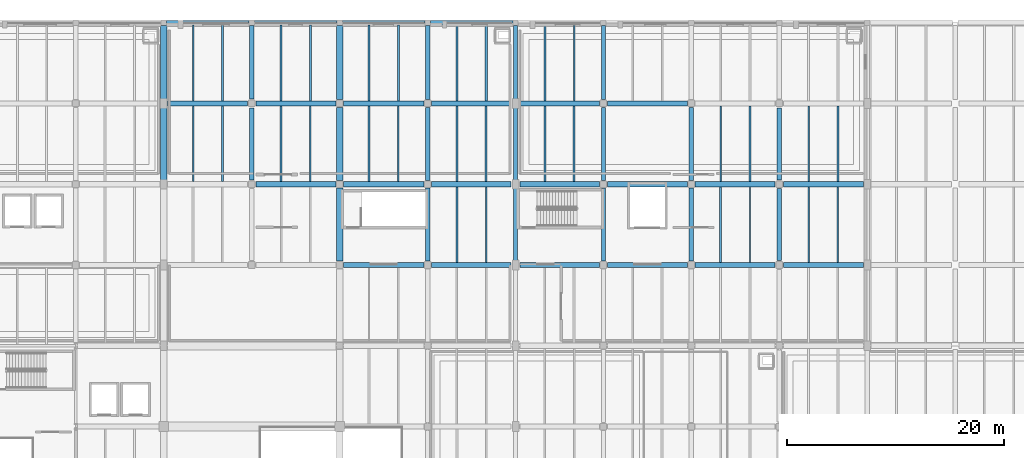
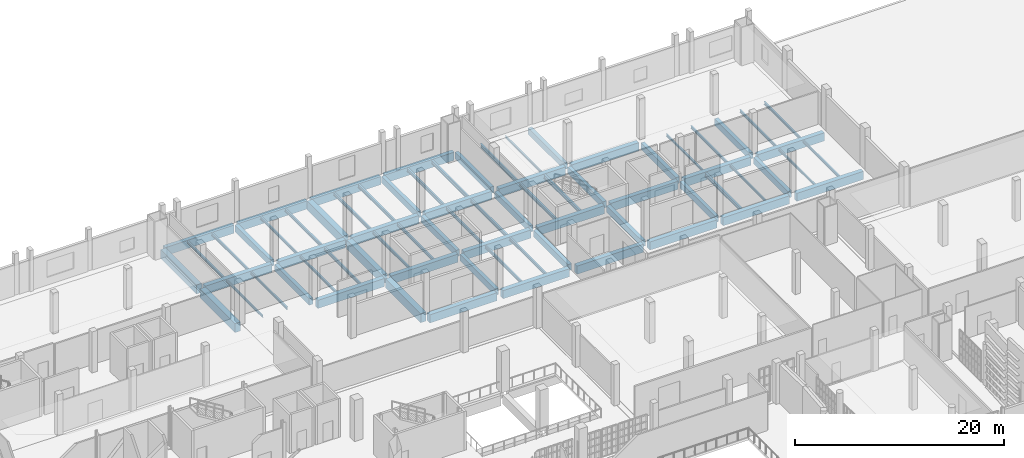
# One storey, part 47 of 104: 73 beams.
"""IFC4 building model written with IfcOpenShell, lengths in metres."""

from ifc_helpers import new_model, si_unit, direction, frame, origin, origin_2d, place, context, subcontext, project, spatial, rectangle, i_section, extrude, material, material_profile, profile_set, type_object, element, save


model = new_model("IFC4")

# Units and contexts
model_context = context("Model", 3, precision=1e-05, world=origin(), true_north=direction((0.0, 1.0)))
body_context = subcontext(model_context, "Body", "Model", "MODEL_VIEW")
ifc_project = project(units=[si_unit("LENGTHUNIT", "METRE"), si_unit("AREAUNIT", "SQUARE_METRE"), si_unit("VOLUMEUNIT", "CUBIC_METRE"), si_unit("PLANEANGLEUNIT", "RADIAN"), si_unit("MASSUNIT", "GRAM", prefix="KILO")], contexts=[model_context])

# Site, building, storey
site_placement = place(None, origin())
site = spatial("IfcSite", under=ifc_project, at=site_placement, CompositionType="ELEMENT")
building_placement = place(site_placement, origin())
building = spatial("IfcBuilding", under=site, at=building_placement, Name="Kaelora Sail Theatre", CompositionType="ELEMENT")
storey_placement = place(building_placement, frame((0.0, 0.0, 5.39990234375)))
storey = spatial("IfcBuildingStorey", under=building, at=storey_placement, Name="L01", CompositionType="ELEMENT", Elevation=5.39990234375)

# Beams
ifc_material_1 = material(Name="Steel S355", Category="steel")
ifc_material_profile_1 = material_profile(ifc_material_1, i_section(OverallWidth=0.18994140625, OverallDepth=0.449951171875, WebThickness=0.009521484375, FlangeThickness=0.0146484375, FilletRadius=0.02099609375, at=origin_2d()), Name="IPE 450")
ifc_profile_set_1 = profile_set([ifc_material_profile_1], Name="Steel S355")
beam_type_1 = type_object("IfcBeamType", Name="STR-BM-BM-IPE450", PredefinedType="BEAM", material=ifc_profile_set_1)
beam_1_placement = place(storey_placement, frame((96.0, 105.909912109375, -0.52001953125), z_axis=(0.0, 1.0, 0.0), x_axis=(-1.0, 0.0, 0.0)))
element("IfcBeam", 1, at=beam_1_placement, inside=storey, type_object=beam_type_1, Name="Secondary floor joist 12/O-2 (L01)", PredefinedType="BEAM", context=body_context, shape_type="SweptSolid", body=[
    extrude(i_section(OverallWidth=0.18994140625, OverallDepth=0.449951171875, WebThickness=0.009521484375, FlangeThickness=0.0146484375, FilletRadius=0.02099609375, at=origin_2d()), origin(), (0.0, 0.0, 1.0), 6.965087890625),
])
beam_2_placement = place(storey_placement, frame((104.10009765625, 98.469970703125, -0.52001953125), z_axis=(0.0, 1.0, 0.0), x_axis=(-1.0, 0.0, 0.0)))
element("IfcBeam", 2, at=beam_2_placement, inside=storey, type_object=beam_type_1, Name="Secondary floor joist 13/N-2 (L01)", PredefinedType="BEAM", context=body_context, shape_type="SweptSolid", body=[
    extrude(i_section(OverallWidth=0.18994140625, OverallDepth=0.449951171875, WebThickness=0.009521484375, FlangeThickness=0.0146484375, FilletRadius=0.02099609375, at=origin_2d()), origin(), (0.0, 0.0, 1.0), 6.93994140625),
])
beam_3_placement = place(storey_placement, frame((101.39990234375, 105.909912109375, -0.52001953125), z_axis=(0.0, 1.0, 0.0), x_axis=(-1.0, 0.0, 0.0)))
element("IfcBeam", 3, at=beam_3_placement, inside=storey, type_object=beam_type_1, Name="Secondary floor joist 13/O-1 (L01)", PredefinedType="BEAM", context=body_context, shape_type="SweptSolid", body=[
    extrude(i_section(OverallWidth=0.18994140625, OverallDepth=0.449951171875, WebThickness=0.009521484375, FlangeThickness=0.0146484375, FilletRadius=0.02099609375, at=origin_2d()), origin(), (0.0, 0.0, 1.0), 6.965087890625),
])
beam_4_placement = place(storey_placement, frame((117.60009765625, 91.030029296875, -0.52001953125), z_axis=(0.0, 1.0, 0.0), x_axis=(-1.0, 0.0, 0.0)))
element("IfcBeam", 4, at=beam_4_placement, inside=storey, type_object=beam_type_1, Name="Secondary floor joist 15/M-1 (L01)", PredefinedType="BEAM", context=body_context, shape_type="SweptSolid", body=[
    extrude(i_section(OverallWidth=0.18994140625, OverallDepth=0.449951171875, WebThickness=0.009521484375, FlangeThickness=0.0146484375, FilletRadius=0.02099609375, at=origin_2d()), origin(), (0.0, 0.0, 1.0), 6.93994140625),
])
ifc_material_2 = material(Name="Concrete C40/50", Category="concrete")
ifc_material_profile_2 = material_profile(ifc_material_2, rectangle(XDim=0.39990234375, YDim=0.75, at=origin_2d()), Name="RC-BM 400x750")
ifc_profile_set_2 = profile_set([ifc_material_profile_2], Name="Concrete C40/50")
beam_type_2 = type_object("IfcBeamType", Name="STR-BM-BM-RC4075", PredefinedType="BEAM", material=ifc_profile_set_2)
beam_5_placement = place(storey_placement, frame((74.39990234375, 98.6201171875, -0.669921875), z_axis=(0.0, 1.0, 0.0), x_axis=(-1.0, 0.0, 0.0)))
element("IfcBeam", 5, at=beam_5_placement, inside=storey, type_object=beam_type_2, Name="Primary beam 10 N-O (L01)", PredefinedType="BEAM", context=body_context, shape_type="SweptSolid", body=[
    extrude(rectangle(XDim=0.39990234375, YDim=0.75, at=origin_2d()), origin(), (0.0, 0.0, 1.0), 6.639892578125),
])
beam_6_placement = place(storey_placement, frame((74.39990234375, 106.06005859375, -0.669921875), z_axis=(0.0, 1.0, 0.0), x_axis=(-1.0, 0.0, 0.0)))
element("IfcBeam", 6, at=beam_6_placement, inside=storey, type_object=beam_type_2, Name="Primary beam 10 O-P (L01)", PredefinedType="BEAM", context=body_context, shape_type="SweptSolid", body=[
    extrude(rectangle(XDim=0.39990234375, YDim=0.75, at=origin_2d()), origin(), (0.0, 0.0, 1.0), 6.7900390625),
])
beam_7_placement = place(storey_placement, frame((90.60009765625, 91.1298828125, -0.669921875), z_axis=(0.0, 1.0, 0.0), x_axis=(-1.0, 0.0, 0.0)))
element("IfcBeam", 7, at=beam_7_placement, inside=storey, type_object=beam_type_2, Name="Primary beam 12 M-N (L01)", PredefinedType="BEAM", context=body_context, shape_type="SweptSolid", body=[
    extrude(rectangle(XDim=0.39990234375, YDim=0.75, at=origin_2d()), origin(), (0.0, 0.0, 1.0), 6.740234375),
])
beam_8_placement = place(storey_placement, frame((90.60009765625, 98.570068359375, -0.669921875), z_axis=(0.0, 1.0, 0.0), x_axis=(-1.0, 0.0, 0.0)))
element("IfcBeam", 8, at=beam_8_placement, inside=storey, type_object=beam_type_2, Name="Primary beam 12 N-O (L01)", PredefinedType="BEAM", context=body_context, shape_type="SweptSolid", body=[
    extrude(rectangle(XDim=0.39990234375, YDim=0.75, at=origin_2d()), origin(), (0.0, 0.0, 1.0), 6.739990234375),
])
beam_9_placement = place(storey_placement, frame((90.60009765625, 106.010009765625, -0.669921875), z_axis=(0.0, 1.0, 0.0), x_axis=(-1.0, 0.0, 0.0)))
element("IfcBeam", 9, at=beam_9_placement, inside=storey, type_object=beam_type_2, Name="Primary beam 12 O-P (L01)", PredefinedType="BEAM", context=body_context, shape_type="SweptSolid", body=[
    extrude(rectangle(XDim=0.39990234375, YDim=0.75, at=origin_2d()), origin(), (0.0, 0.0, 1.0), 6.840087890625),
])
beam_10_placement = place(storey_placement, frame((98.699951171875, 91.179931640625, -0.669921875), z_axis=(0.0, 1.0, 0.0), x_axis=(-1.0, 0.0, 0.0)))
element("IfcBeam", 10, at=beam_10_placement, inside=storey, type_object=beam_type_2, Name="Primary beam 13 M-N (L01)", PredefinedType="BEAM", context=body_context, shape_type="SweptSolid", body=[
    extrude(rectangle(XDim=0.39990234375, YDim=0.75, at=origin_2d()), origin(), (0.0, 0.0, 1.0), 6.64013671875),
])
beam_11_placement = place(storey_placement, frame((98.699951171875, 98.6201171875, -0.669921875), z_axis=(0.0, 1.0, 0.0), x_axis=(-1.0, 0.0, 0.0)))
element("IfcBeam", 11, at=beam_11_placement, inside=storey, type_object=beam_type_2, Name="Primary beam 13 N-O (L01)", PredefinedType="BEAM", context=body_context, shape_type="SweptSolid", body=[
    extrude(rectangle(XDim=0.39990234375, YDim=0.75, at=origin_2d()), origin(), (0.0, 0.0, 1.0), 6.639892578125),
])
beam_12_placement = place(storey_placement, frame((98.699951171875, 106.06005859375, -0.669921875), z_axis=(0.0, 1.0, 0.0), x_axis=(-1.0, 0.0, 0.0)))
element("IfcBeam", 12, at=beam_12_placement, inside=storey, type_object=beam_type_2, Name="Primary beam 13 O-P (L01)", PredefinedType="BEAM", context=body_context, shape_type="SweptSolid", body=[
    extrude(rectangle(XDim=0.39990234375, YDim=0.75, at=origin_2d()), origin(), (0.0, 0.0, 1.0), 6.7900390625),
])
beam_13_placement = place(storey_placement, frame((106.800048828125, 91.1298828125, -0.669921875), z_axis=(0.0, 1.0, 0.0), x_axis=(-1.0, 0.0, 0.0)))
element("IfcBeam", 13, at=beam_13_placement, inside=storey, type_object=beam_type_2, Name="Primary beam 14 M-N (L01)", PredefinedType="BEAM", context=body_context, shape_type="SweptSolid", body=[
    extrude(rectangle(XDim=0.39990234375, YDim=0.75, at=origin_2d()), origin(), (0.0, 0.0, 1.0), 6.740234375),
])
beam_14_placement = place(storey_placement, frame((106.800048828125, 98.570068359375, -0.669921875), z_axis=(0.0, 1.0, 0.0), x_axis=(-1.0, 0.0, 0.0)))
element("IfcBeam", 14, at=beam_14_placement, inside=storey, type_object=beam_type_2, Name="Primary beam 14 N-O (L01)", PredefinedType="BEAM", context=body_context, shape_type="SweptSolid", body=[
    extrude(rectangle(XDim=0.39990234375, YDim=0.75, at=origin_2d()), origin(), (0.0, 0.0, 1.0), 6.739990234375),
])
beam_15_placement = place(storey_placement, frame((106.800048828125, 106.010009765625, -0.669921875), z_axis=(0.0, 1.0, 0.0), x_axis=(-1.0, 0.0, 0.0)))
element("IfcBeam", 15, at=beam_15_placement, inside=storey, type_object=beam_type_2, Name="Primary beam 14 O-P (L01)", PredefinedType="BEAM", context=body_context, shape_type="SweptSolid", body=[
    extrude(rectangle(XDim=0.39990234375, YDim=0.75, at=origin_2d()), origin(), (0.0, 0.0, 1.0), 6.840087890625),
])
beam_16_placement = place(storey_placement, frame((114.89990234375, 91.1298828125, -0.669921875), z_axis=(0.0, 1.0, 0.0), x_axis=(-1.0, 0.0, 0.0)))
element("IfcBeam", 16, at=beam_16_placement, inside=storey, type_object=beam_type_2, Name="Primary beam 15 M-N (L01)", PredefinedType="BEAM", context=body_context, shape_type="SweptSolid", body=[
    extrude(rectangle(XDim=0.39990234375, YDim=0.75, at=origin_2d()), origin(), (0.0, 0.0, 1.0), 6.740234375),
])
beam_17_placement = place(storey_placement, frame((114.89990234375, 98.570068359375, -0.669921875), z_axis=(0.0, 1.0, 0.0), x_axis=(-1.0, 0.0, 0.0)))
element("IfcBeam", 17, at=beam_17_placement, inside=storey, type_object=beam_type_2, Name="Primary beam 15 N-O (L01)", PredefinedType="BEAM", context=body_context, shape_type="SweptSolid", body=[
    extrude(rectangle(XDim=0.39990234375, YDim=0.75, at=origin_2d()), origin(), (0.0, 0.0, 1.0), 6.739990234375),
])
beam_18_placement = place(storey_placement, frame((123.0, 91.179931640625, -0.669921875), z_axis=(0.0, 1.0, 0.0), x_axis=(-1.0, 0.0, 0.0)))
element("IfcBeam", 18, at=beam_18_placement, inside=storey, type_object=beam_type_2, Name="Primary beam 16 M-N (L01)", PredefinedType="BEAM", context=body_context, shape_type="SweptSolid", body=[
    extrude(rectangle(XDim=0.39990234375, YDim=0.75, at=origin_2d()), origin(), (0.0, 0.0, 1.0), 6.64013671875),
])
beam_19_placement = place(storey_placement, frame((123.0, 98.6201171875, -0.669921875), z_axis=(0.0, 1.0, 0.0), x_axis=(-1.0, 0.0, 0.0)))
element("IfcBeam", 19, at=beam_19_placement, inside=storey, type_object=beam_type_2, Name="Primary beam 16 N-O (L01)", PredefinedType="BEAM", context=body_context, shape_type="SweptSolid", body=[
    extrude(rectangle(XDim=0.39990234375, YDim=0.75, at=origin_2d()), origin(), (0.0, 0.0, 1.0), 6.639892578125),
])
ifc_material_3 = material(Name="Concrete C45/55", Category="concrete")
ifc_material_profile_3 = material_profile(ifc_material_3, rectangle(XDim=0.5, YDim=0.949951171875, at=origin_2d()), Name="RC-GRD 500x950")
ifc_profile_set_3 = profile_set([ifc_material_profile_3], Name="Concrete C45/55")
beam_type_3 = type_object("IfcBeamType", Name="STR-BM-GR-RC5095", PredefinedType="T_BEAM", material=ifc_profile_set_3)
beam_20_placement = place(storey_placement, frame((66.64990234375, 105.659912109375, -0.77001953125), z_axis=(1.0, 0.0, 0.0), x_axis=(0.0, 1.0, 0.0)))
element("IfcBeam", 20, at=beam_20_placement, inside=storey, type_object=beam_type_3, Name="Primary beam O 9-10 (L01)", PredefinedType="T_BEAM", context=body_context, shape_type="SweptSolid", body=[
    extrude(rectangle(XDim=0.5, YDim=0.949951171875, at=origin_2d()), origin(), (0.0, 0.0, 1.0), 7.35009765625),
])
for number, where, z_axis, x_axis, name in (
    (21, (74.800048828125, 98.219970703125, -0.77001953125), (1.0, 0.0, 0.0), (0.0, 1.0, 0.0), "Primary beam N 10-11 (L01)"),
    (22, (74.800048828125, 105.659912109375, -0.77001953125), (1.0, 0.0, 0.0), (0.0, 1.0, 0.0), "Primary beam O 10-11 (L01)"),
):
    element("IfcBeam", number, at=place(storey_placement, frame(where, z_axis=z_axis, x_axis=x_axis)), inside=storey, type_object=beam_type_3, Name=name, PredefinedType="T_BEAM", context=body_context, shape_type="SweptSolid", body=[
        extrude(rectangle(XDim=0.5, YDim=0.949951171875, at=origin_2d()), origin(), (0.0, 0.0, 1.0), 7.349853515625),
    ])
for number, where, z_axis, x_axis, name in (
    (23, (82.85009765625, 90.780029296875, -0.77001953125), (1.0, 0.0, 0.0), (0.0, 1.0, 0.0), "Primary beam M 11-12 (L01)"),
    (24, (82.85009765625, 98.219970703125, -0.77001953125), (1.0, 0.0, 0.0), (0.0, 1.0, 0.0), "Primary beam N 11-12 (L01)"),
    (25, (82.85009765625, 105.659912109375, -0.77001953125), (1.0, 0.0, 0.0), (0.0, 1.0, 0.0), "Primary beam O 11-12 (L01)"),
):
    element("IfcBeam", number, at=place(storey_placement, frame(where, z_axis=z_axis, x_axis=x_axis)), inside=storey, type_object=beam_type_3, Name=name, PredefinedType="T_BEAM", context=body_context, shape_type="SweptSolid", body=[
        extrude(rectangle(XDim=0.5, YDim=0.949951171875, at=origin_2d()), origin(), (0.0, 0.0, 1.0), 7.39990234375),
    ])
for number, where, z_axis, x_axis, name in (
    (26, (90.949951171875, 90.780029296875, -0.77001953125), (1.0, 0.0, 0.0), (0.0, 1.0, 0.0), "Primary beam M 12-13 (L01)"),
    (27, (90.949951171875, 98.219970703125, -0.77001953125), (1.0, 0.0, 0.0), (0.0, 1.0, 0.0), "Primary beam N 12-13 (L01)"),
    (28, (90.949951171875, 105.659912109375, -0.77001953125), (1.0, 0.0, 0.0), (0.0, 1.0, 0.0), "Primary beam O 12-13 (L01)"),
):
    element("IfcBeam", number, at=place(storey_placement, frame(where, z_axis=z_axis, x_axis=x_axis)), inside=storey, type_object=beam_type_3, Name=name, PredefinedType="T_BEAM", context=body_context, shape_type="SweptSolid", body=[
        extrude(rectangle(XDim=0.5, YDim=0.949951171875, at=origin_2d()), origin(), (0.0, 0.0, 1.0), 7.35009765625),
    ])
for number, where, z_axis, x_axis, name in (
    (29, (99.10009765625, 90.780029296875, -0.77001953125), (1.0, 0.0, 0.0), (0.0, 1.0, 0.0), "Primary beam M 13-14 (L01)"),
    (30, (99.10009765625, 98.219970703125, -0.77001953125), (1.0, 0.0, 0.0), (0.0, 1.0, 0.0), "Primary beam N 13-14 (L01)"),
    (31, (99.10009765625, 105.659912109375, -0.77001953125), (1.0, 0.0, 0.0), (0.0, 1.0, 0.0), "Primary beam O 13-14 (L01)"),
):
    element("IfcBeam", number, at=place(storey_placement, frame(where, z_axis=z_axis, x_axis=x_axis)), inside=storey, type_object=beam_type_3, Name=name, PredefinedType="T_BEAM", context=body_context, shape_type="SweptSolid", body=[
        extrude(rectangle(XDim=0.5, YDim=0.949951171875, at=origin_2d()), origin(), (0.0, 0.0, 1.0), 7.349853515625),
    ])
for number, where, z_axis, x_axis, name in (
    (32, (107.14990234375, 90.780029296875, -0.77001953125), (1.0, 0.0, 0.0), (0.0, 1.0, 0.0), "Primary beam M 14-15 (L01)"),
    (33, (107.14990234375, 98.219970703125, -0.77001953125), (1.0, 0.0, 0.0), (0.0, 1.0, 0.0), "Primary beam N 14-15 (L01)"),
    (34, (107.14990234375, 105.659912109375, -0.77001953125), (1.0, 0.0, 0.0), (0.0, 1.0, 0.0), "Primary beam O 14-15 (L01)"),
):
    element("IfcBeam", number, at=place(storey_placement, frame(where, z_axis=z_axis, x_axis=x_axis)), inside=storey, type_object=beam_type_3, Name=name, PredefinedType="T_BEAM", context=body_context, shape_type="SweptSolid", body=[
        extrude(rectangle(XDim=0.5, YDim=0.949951171875, at=origin_2d()), origin(), (0.0, 0.0, 1.0), 7.400146484375),
    ])
for number, where, z_axis, x_axis, name in (
    (35, (115.25, 90.780029296875, -0.77001953125), (1.0, 0.0, 0.0), (0.0, 1.0, 0.0), "Primary beam M 15-16 (L01)"),
    (36, (115.25, 98.219970703125, -0.77001953125), (1.0, 0.0, 0.0), (0.0, 1.0, 0.0), "Primary beam N 15-16 (L01)"),
    (37, (123.39990234375, 90.780029296875, -0.77001953125), (1.0, 0.0, 0.0), (0.0, 1.0, 0.0), "Primary beam M 16-17 (L01)"),
    (38, (123.39990234375, 98.219970703125, -0.77001953125), (1.0, 0.0, 0.0), (0.0, 1.0, 0.0), "Primary beam N 16-17 (L01)"),
):
    element("IfcBeam", number, at=place(storey_placement, frame(where, z_axis=z_axis, x_axis=x_axis)), inside=storey, type_object=beam_type_3, Name=name, PredefinedType="T_BEAM", context=body_context, shape_type="SweptSolid", body=[
        extrude(rectangle(XDim=0.5, YDim=0.949951171875, at=origin_2d()), origin(), (0.0, 0.0, 1.0), 7.35009765625),
    ])
ifc_material_4 = material(Name="Concrete C50/60", Category="concrete")
ifc_material_profile_4 = material_profile(ifc_material_4, rectangle(XDim=0.60009765625, YDim=1.050048828125, at=origin_2d()), Name="RC-GRD 600x1050")
ifc_profile_set_4 = profile_set([ifc_material_profile_4], Name="Concrete C50/60")
beam_type_4 = type_object("IfcBeamType", Name="STR-BM-GR-RC6105", PredefinedType="T_BEAM", material=ifc_profile_set_4)
beam_21_placement = place(storey_placement, frame((66.300048828125, 98.570068359375, -0.81982421875), z_axis=(0.0, 1.0, 0.0), x_axis=(-1.0, 0.0, 0.0)))
element("IfcBeam", 39, at=beam_21_placement, inside=storey, type_object=beam_type_4, Name="Primary beam 9 N-O (L01)", PredefinedType="T_BEAM", context=body_context, shape_type="SweptSolid", body=[
    extrude(rectangle(XDim=0.60009765625, YDim=1.050048828125, at=origin_2d()), origin(), (0.0, 0.0, 1.0), 6.739990234375),
])
beam_22_placement = place(storey_placement, frame((66.300048828125, 106.010009765625, -0.81982421875), z_axis=(0.0, 1.0, 0.0), x_axis=(-1.0, 0.0, 0.0)))
element("IfcBeam", 40, at=beam_22_placement, inside=storey, type_object=beam_type_4, Name="Primary beam 9 O-P (L01)", PredefinedType="T_BEAM", context=body_context, shape_type="SweptSolid", body=[
    extrude(rectangle(XDim=0.60009765625, YDim=1.050048828125, at=origin_2d()), origin(), (0.0, 0.0, 1.0), 6.840087890625),
])
beam_23_placement = place(storey_placement, frame((82.5, 91.1298828125, -0.81982421875), z_axis=(0.0, 1.0, 0.0), x_axis=(-1.0, 0.0, 0.0)))
element("IfcBeam", 41, at=beam_23_placement, inside=storey, type_object=beam_type_4, Name="Primary beam 11 M-N (L01)", PredefinedType="T_BEAM", context=body_context, shape_type="SweptSolid", body=[
    extrude(rectangle(XDim=0.60009765625, YDim=1.050048828125, at=origin_2d()), origin(), (0.0, 0.0, 1.0), 6.740234375),
])
beam_24_placement = place(storey_placement, frame((82.5, 98.570068359375, -0.81982421875), z_axis=(0.0, 1.0, 0.0), x_axis=(-1.0, 0.0, 0.0)))
element("IfcBeam", 42, at=beam_24_placement, inside=storey, type_object=beam_type_4, Name="Primary beam 11 N-O (L01)", PredefinedType="T_BEAM", context=body_context, shape_type="SweptSolid", body=[
    extrude(rectangle(XDim=0.60009765625, YDim=1.050048828125, at=origin_2d()), origin(), (0.0, 0.0, 1.0), 6.739990234375),
])
beam_25_placement = place(storey_placement, frame((82.5, 106.010009765625, -0.81982421875), z_axis=(0.0, 1.0, 0.0), x_axis=(-1.0, 0.0, 0.0)))
element("IfcBeam", 43, at=beam_25_placement, inside=storey, type_object=beam_type_4, Name="Primary beam 11 O-P (L01)", PredefinedType="T_BEAM", context=body_context, shape_type="SweptSolid", body=[
    extrude(rectangle(XDim=0.60009765625, YDim=1.050048828125, at=origin_2d()), origin(), (0.0, 0.0, 1.0), 6.840087890625),
])
ifc_material_5 = material(Name="Steel S355", Category="steel")
ifc_material_profile_5 = material_profile(ifc_material_5, i_section(OverallWidth=0.135009765625, OverallDepth=0.27001953125, WebThickness=0.006591796875, FlangeThickness=0.01025390625, FilletRadius=0.014892578125, at=origin_2d()), Name="IPE 270")
ifc_profile_set_5 = profile_set([ifc_material_profile_5], Name="Steel S355")
beam_type_5 = type_object("IfcBeamType", Name="STR-BM-JS-IPE270", PredefinedType="JOIST", material=ifc_profile_set_5)
beam_26_placement = place(storey_placement, frame((69.0, 98.469970703125, -0.429931640625), z_axis=(0.0, 1.0, 0.0), x_axis=(-1.0, 0.0, 0.0)))
element("IfcBeam", 44, at=beam_26_placement, inside=storey, type_object=beam_type_5, Name="Secondary floor joist 9/N-1 (L01)", PredefinedType="JOIST", context=body_context, shape_type="SweptSolid", body=[
    extrude(i_section(OverallWidth=0.135009765625, OverallDepth=0.27001953125, WebThickness=0.006591796875, FlangeThickness=0.01025390625, FilletRadius=0.014892578125, at=origin_2d()), origin(), (0.0, 0.0, 1.0), 6.93994140625),
])
beam_27_placement = place(storey_placement, frame((104.10009765625, 105.909912109375, -0.429931640625), z_axis=(0.0, 1.0, 0.0), x_axis=(-1.0, 0.0, 0.0)))
element("IfcBeam", 45, at=beam_27_placement, inside=storey, type_object=beam_type_5, Name="Secondary floor joist 13/O-2 (L01)", PredefinedType="JOIST", context=body_context, shape_type="SweptSolid", body=[
    extrude(i_section(OverallWidth=0.135009765625, OverallDepth=0.27001953125, WebThickness=0.006591796875, FlangeThickness=0.01025390625, FilletRadius=0.014892578125, at=origin_2d()), origin(), (0.0, 0.0, 1.0), 6.965087890625),
])
for number, where, z_axis, x_axis, name in (
    (46, (120.300048828125, 91.030029296875, -0.429931640625), (0.0, 1.0, 0.0), (-1.0, 0.0, 0.0), "Secondary floor joist 15/M-2 (L01)"),
    (47, (117.60009765625, 98.469970703125, -0.429931640625), (0.0, 1.0, 0.0), (-1.0, 0.0, 0.0), "Secondary floor joist 15/N-1 (L01)"),
    (48, (125.699951171875, 91.030029296875, -0.429931640625), (0.0, 1.0, 0.0), (-1.0, 0.0, 0.0), "Secondary floor joist 16/M-1 (L01)"),
):
    element("IfcBeam", number, at=place(storey_placement, frame(where, z_axis=z_axis, x_axis=x_axis)), inside=storey, type_object=beam_type_5, Name=name, PredefinedType="JOIST", context=body_context, shape_type="SweptSolid", body=[
        extrude(i_section(OverallWidth=0.135009765625, OverallDepth=0.27001953125, WebThickness=0.006591796875, FlangeThickness=0.01025390625, FilletRadius=0.014892578125, at=origin_2d()), origin(), (0.0, 0.0, 1.0), 6.93994140625),
    ])
ifc_material_6 = material(Name="Steel S355", Category="steel")
ifc_material_profile_6 = material_profile(ifc_material_6, i_section(OverallWidth=0.14990234375, OverallDepth=0.300048828125, WebThickness=0.007080078125, FlangeThickness=0.0107421875, FilletRadius=0.014892578125, at=origin_2d()), Name="IPE 300")
ifc_profile_set_6 = profile_set([ifc_material_profile_6], Name="Steel S355")
beam_type_6 = type_object("IfcBeamType", Name="STR-BM-JS-IPE300", PredefinedType="JOIST", material=ifc_profile_set_6)
beam_28_placement = place(storey_placement, frame((71.699951171875, 98.469970703125, -0.44482421875), z_axis=(0.0, 1.0, 0.0), x_axis=(-1.0, 0.0, 0.0)))
element("IfcBeam", 49, at=beam_28_placement, inside=storey, type_object=beam_type_6, Name="Secondary floor joist 9/N-2 (L01)", PredefinedType="JOIST", context=body_context, shape_type="SweptSolid", body=[
    extrude(i_section(OverallWidth=0.14990234375, OverallDepth=0.300048828125, WebThickness=0.007080078125, FlangeThickness=0.0107421875, FilletRadius=0.014892578125, at=origin_2d()), origin(), (0.0, 0.0, 1.0), 6.93994140625),
])
beam_29_placement = place(storey_placement, frame((69.0, 105.909912109375, -0.44482421875), z_axis=(0.0, 1.0, 0.0), x_axis=(-1.0, 0.0, 0.0)))
element("IfcBeam", 50, at=beam_29_placement, inside=storey, type_object=beam_type_6, Name="Secondary floor joist 9/O-1 (L01)", PredefinedType="JOIST", context=body_context, shape_type="SweptSolid", body=[
    extrude(i_section(OverallWidth=0.14990234375, OverallDepth=0.300048828125, WebThickness=0.007080078125, FlangeThickness=0.0107421875, FilletRadius=0.014892578125, at=origin_2d()), origin(), (0.0, 0.0, 1.0), 6.965087890625),
])
for number, where, z_axis, x_axis, name in (
    (51, (77.10009765625, 98.469970703125, -0.44482421875), (0.0, 1.0, 0.0), (-1.0, 0.0, 0.0), "Secondary floor joist 10/N-1 (L01)"),
    (52, (120.300048828125, 98.469970703125, -0.44482421875), (0.0, 1.0, 0.0), (-1.0, 0.0, 0.0), "Secondary floor joist 15/N-2 (L01)"),
    (53, (128.39990234375, 91.030029296875, -0.44482421875), (0.0, 1.0, 0.0), (-1.0, 0.0, 0.0), "Secondary floor joist 16/M-2 (L01)"),
    (54, (125.699951171875, 98.469970703125, -0.44482421875), (0.0, 1.0, 0.0), (-1.0, 0.0, 0.0), "Secondary floor joist 16/N-1 (L01)"),
):
    element("IfcBeam", number, at=place(storey_placement, frame(where, z_axis=z_axis, x_axis=x_axis)), inside=storey, type_object=beam_type_6, Name=name, PredefinedType="JOIST", context=body_context, shape_type="SweptSolid", body=[
        extrude(i_section(OverallWidth=0.14990234375, OverallDepth=0.300048828125, WebThickness=0.007080078125, FlangeThickness=0.0107421875, FilletRadius=0.014892578125, at=origin_2d()), origin(), (0.0, 0.0, 1.0), 6.93994140625),
    ])
ifc_material_7 = material(Name="Steel S355", Category="steel")
ifc_material_profile_7 = material_profile(ifc_material_7, i_section(OverallWidth=0.159912109375, OverallDepth=0.330078125, WebThickness=0.007568359375, FlangeThickness=0.011474609375, FilletRadius=0.01806640625, at=origin_2d()), Name="IPE 330")
ifc_profile_set_7 = profile_set([ifc_material_profile_7], Name="Steel S355")
beam_type_7 = type_object("IfcBeamType", Name="STR-BM-JS-IPE330", PredefinedType="JOIST", material=ifc_profile_set_7)
beam_30_placement = place(storey_placement, frame((71.699951171875, 105.909912109375, -0.4599609375), z_axis=(0.0, 1.0, 0.0), x_axis=(-1.0, 0.0, 0.0)))
element("IfcBeam", 55, at=beam_30_placement, inside=storey, type_object=beam_type_7, Name="Secondary floor joist 9/O-2 (L01)", PredefinedType="JOIST", context=body_context, shape_type="SweptSolid", body=[
    extrude(i_section(OverallWidth=0.159912109375, OverallDepth=0.330078125, WebThickness=0.007568359375, FlangeThickness=0.011474609375, FilletRadius=0.01806640625, at=origin_2d()), origin(), (0.0, 0.0, 1.0), 6.965087890625),
])
beam_31_placement = place(storey_placement, frame((79.800048828125, 98.469970703125, -0.4599609375), z_axis=(0.0, 1.0, 0.0), x_axis=(-1.0, 0.0, 0.0)))
element("IfcBeam", 56, at=beam_31_placement, inside=storey, type_object=beam_type_7, Name="Secondary floor joist 10/N-2 (L01)", PredefinedType="JOIST", context=body_context, shape_type="SweptSolid", body=[
    extrude(i_section(OverallWidth=0.159912109375, OverallDepth=0.330078125, WebThickness=0.007568359375, FlangeThickness=0.011474609375, FilletRadius=0.01806640625, at=origin_2d()), origin(), (0.0, 0.0, 1.0), 6.93994140625),
])
beam_32_placement = place(storey_placement, frame((77.10009765625, 105.909912109375, -0.4599609375), z_axis=(0.0, 1.0, 0.0), x_axis=(-1.0, 0.0, 0.0)))
element("IfcBeam", 57, at=beam_32_placement, inside=storey, type_object=beam_type_7, Name="Secondary floor joist 10/O-1 (L01)", PredefinedType="JOIST", context=body_context, shape_type="SweptSolid", body=[
    extrude(i_section(OverallWidth=0.159912109375, OverallDepth=0.330078125, WebThickness=0.007568359375, FlangeThickness=0.011474609375, FilletRadius=0.01806640625, at=origin_2d()), origin(), (0.0, 0.0, 1.0), 6.965087890625),
])
for number, where, z_axis, x_axis, name in (
    (58, (85.199951171875, 98.469970703125, -0.4599609375), (0.0, 1.0, 0.0), (-1.0, 0.0, 0.0), "Secondary floor joist 11/N-1 (L01)"),
    (59, (93.300048828125, 91.030029296875, -0.4599609375), (0.0, 1.0, 0.0), (-1.0, 0.0, 0.0), "Secondary floor joist 12/M-1 (L01)"),
    (60, (128.39990234375, 98.469970703125, -0.4599609375), (0.0, 1.0, 0.0), (-1.0, 0.0, 0.0), "Secondary floor joist 16/N-2 (L01)"),
):
    element("IfcBeam", number, at=place(storey_placement, frame(where, z_axis=z_axis, x_axis=x_axis)), inside=storey, type_object=beam_type_7, Name=name, PredefinedType="JOIST", context=body_context, shape_type="SweptSolid", body=[
        extrude(i_section(OverallWidth=0.159912109375, OverallDepth=0.330078125, WebThickness=0.007568359375, FlangeThickness=0.011474609375, FilletRadius=0.01806640625, at=origin_2d()), origin(), (0.0, 0.0, 1.0), 6.93994140625),
    ])
ifc_material_8 = material(Name="Steel S355", Category="steel")
ifc_material_profile_8 = material_profile(ifc_material_8, i_section(OverallWidth=0.169921875, OverallDepth=0.360107421875, WebThickness=0.008056640625, FlangeThickness=0.0126953125, FilletRadius=0.01806640625, at=origin_2d()), Name="IPE 360")
ifc_profile_set_8 = profile_set([ifc_material_profile_8], Name="Steel S355")
beam_type_8 = type_object("IfcBeamType", Name="STR-BM-JS-IPE360", PredefinedType="JOIST", material=ifc_profile_set_8)
beam_33_placement = place(storey_placement, frame((79.800048828125, 105.909912109375, -0.474853515625), z_axis=(0.0, 1.0, 0.0), x_axis=(-1.0, 0.0, 0.0)))
element("IfcBeam", 61, at=beam_33_placement, inside=storey, type_object=beam_type_8, Name="Secondary floor joist 10/O-2 (L01)", PredefinedType="JOIST", context=body_context, shape_type="SweptSolid", body=[
    extrude(i_section(OverallWidth=0.169921875, OverallDepth=0.360107421875, WebThickness=0.008056640625, FlangeThickness=0.0126953125, FilletRadius=0.01806640625, at=origin_2d()), origin(), (0.0, 0.0, 1.0), 6.965087890625),
])
beam_34_placement = place(storey_placement, frame((87.89990234375, 98.469970703125, -0.474853515625), z_axis=(0.0, 1.0, 0.0), x_axis=(-1.0, 0.0, 0.0)))
element("IfcBeam", 62, at=beam_34_placement, inside=storey, type_object=beam_type_8, Name="Secondary floor joist 11/N-2 (L01)", PredefinedType="JOIST", context=body_context, shape_type="SweptSolid", body=[
    extrude(i_section(OverallWidth=0.169921875, OverallDepth=0.360107421875, WebThickness=0.008056640625, FlangeThickness=0.0126953125, FilletRadius=0.01806640625, at=origin_2d()), origin(), (0.0, 0.0, 1.0), 6.93994140625),
])
beam_35_placement = place(storey_placement, frame((85.199951171875, 105.909912109375, -0.474853515625), z_axis=(0.0, 1.0, 0.0), x_axis=(-1.0, 0.0, 0.0)))
element("IfcBeam", 63, at=beam_35_placement, inside=storey, type_object=beam_type_8, Name="Secondary floor joist 11/O-1 (L01)", PredefinedType="JOIST", context=body_context, shape_type="SweptSolid", body=[
    extrude(i_section(OverallWidth=0.169921875, OverallDepth=0.360107421875, WebThickness=0.008056640625, FlangeThickness=0.0126953125, FilletRadius=0.01806640625, at=origin_2d()), origin(), (0.0, 0.0, 1.0), 6.965087890625),
])
for number, where, z_axis, x_axis, name in (
    (64, (96.0, 91.030029296875, -0.474853515625), (0.0, 1.0, 0.0), (-1.0, 0.0, 0.0), "Secondary floor joist 12/M-2 (L01)"),
    (65, (93.300048828125, 98.469970703125, -0.474853515625), (0.0, 1.0, 0.0), (-1.0, 0.0, 0.0), "Secondary floor joist 12/N-1 (L01)"),
):
    element("IfcBeam", number, at=place(storey_placement, frame(where, z_axis=z_axis, x_axis=x_axis)), inside=storey, type_object=beam_type_8, Name=name, PredefinedType="JOIST", context=body_context, shape_type="SweptSolid", body=[
        extrude(i_section(OverallWidth=0.169921875, OverallDepth=0.360107421875, WebThickness=0.008056640625, FlangeThickness=0.0126953125, FilletRadius=0.01806640625, at=origin_2d()), origin(), (0.0, 0.0, 1.0), 6.93994140625),
    ])
ifc_material_9 = material(Name="Steel S355", Category="steel")
ifc_material_profile_9 = material_profile(ifc_material_9, i_section(OverallWidth=0.179931640625, OverallDepth=0.39990234375, WebThickness=0.008544921875, FlangeThickness=0.013427734375, FilletRadius=0.02099609375, at=origin_2d()), Name="IPE 400")
ifc_profile_set_9 = profile_set([ifc_material_profile_9], Name="Steel S355")
beam_type_9 = type_object("IfcBeamType", Name="STR-BM-JS-IPE400", PredefinedType="JOIST", material=ifc_profile_set_9)
beam_36_placement = place(storey_placement, frame((87.89990234375, 105.909912109375, -0.494873046875), z_axis=(0.0, 1.0, 0.0), x_axis=(-1.0, 0.0, 0.0)))
element("IfcBeam", 66, at=beam_36_placement, inside=storey, type_object=beam_type_9, Name="Secondary floor joist 11/O-2 (L01)", PredefinedType="JOIST", context=body_context, shape_type="SweptSolid", body=[
    extrude(i_section(OverallWidth=0.179931640625, OverallDepth=0.39990234375, WebThickness=0.008544921875, FlangeThickness=0.013427734375, FilletRadius=0.02099609375, at=origin_2d()), origin(), (0.0, 0.0, 1.0), 6.965087890625),
])
beam_37_placement = place(storey_placement, frame((96.0, 98.469970703125, -0.494873046875), z_axis=(0.0, 1.0, 0.0), x_axis=(-1.0, 0.0, 0.0)))
element("IfcBeam", 67, at=beam_37_placement, inside=storey, type_object=beam_type_9, Name="Secondary floor joist 12/N-2 (L01)", PredefinedType="JOIST", context=body_context, shape_type="SweptSolid", body=[
    extrude(i_section(OverallWidth=0.179931640625, OverallDepth=0.39990234375, WebThickness=0.008544921875, FlangeThickness=0.013427734375, FilletRadius=0.02099609375, at=origin_2d()), origin(), (0.0, 0.0, 1.0), 6.93994140625),
])
beam_38_placement = place(storey_placement, frame((93.300048828125, 105.909912109375, -0.494873046875), z_axis=(0.0, 1.0, 0.0), x_axis=(-1.0, 0.0, 0.0)))
element("IfcBeam", 68, at=beam_38_placement, inside=storey, type_object=beam_type_9, Name="Secondary floor joist 12/O-1 (L01)", PredefinedType="JOIST", context=body_context, shape_type="SweptSolid", body=[
    extrude(i_section(OverallWidth=0.179931640625, OverallDepth=0.39990234375, WebThickness=0.008544921875, FlangeThickness=0.013427734375, FilletRadius=0.02099609375, at=origin_2d()), origin(), (0.0, 0.0, 1.0), 6.965087890625),
])
beam_39_placement = place(storey_placement, frame((101.39990234375, 98.469970703125, -0.494873046875), z_axis=(0.0, 1.0, 0.0), x_axis=(-1.0, 0.0, 0.0)))
element("IfcBeam", 69, at=beam_39_placement, inside=storey, type_object=beam_type_9, Name="Secondary floor joist 13/N-1 (L01)", PredefinedType="JOIST", context=body_context, shape_type="SweptSolid", body=[
    extrude(i_section(OverallWidth=0.179931640625, OverallDepth=0.39990234375, WebThickness=0.008544921875, FlangeThickness=0.013427734375, FilletRadius=0.02099609375, at=origin_2d()), origin(), (0.0, 0.0, 1.0), 6.93994140625),
])
ifc_material_10 = material(Name="Concrete C45/55", Category="concrete")
ifc_material_profile_10 = material_profile(ifc_material_10, rectangle(XDim=0.449951171875, YDim=0.949951171875, at=origin_2d()), Name="RC-SPN 450x950")
ifc_profile_set_10 = profile_set([ifc_material_profile_10], Name="Concrete C45/55")
beam_type_10 = type_object("IfcBeamType", Name="STR-BM-SP-RC4595", PredefinedType="SPANDREL", material=ifc_profile_set_10)
beam_40_placement = place(storey_placement, frame((66.550048828125, 113.10009765625, -0.77001953125), z_axis=(1.0, 0.0, 0.0), x_axis=(0.0, 1.0, 0.0)))
element("IfcBeam", 70, at=beam_40_placement, inside=storey, type_object=beam_type_10, Name="Primary beam P 9-10 (L01)", PredefinedType="SPANDREL", context=body_context, shape_type="SweptSolid", body=[
    extrude(rectangle(XDim=0.449951171875, YDim=0.949951171875, at=origin_2d()), origin(), (0.0, 0.0, 1.0), 7.599853515625),
])
for number, where, z_axis, x_axis, name in (
    (71, (74.64990234375, 113.10009765625, -0.77001953125), (1.0, 0.0, 0.0), (0.0, 1.0, 0.0), "Primary beam P 10-11 (L01)"),
    (72, (82.75, 113.10009765625, -0.77001953125), (1.0, 0.0, 0.0), (0.0, 1.0, 0.0), "Primary beam P 11-12 (L01)"),
):
    element("IfcBeam", number, at=place(storey_placement, frame(where, z_axis=z_axis, x_axis=x_axis)), inside=storey, type_object=beam_type_10, Name=name, PredefinedType="SPANDREL", context=body_context, shape_type="SweptSolid", body=[
        extrude(rectangle(XDim=0.449951171875, YDim=0.949951171875, at=origin_2d()), origin(), (0.0, 0.0, 1.0), 7.60009765625),
    ])
beam_41_placement = place(storey_placement, frame((90.85009765625, 113.10009765625, -0.77001953125), z_axis=(1.0, 0.0, 0.0), x_axis=(0.0, 1.0, 0.0)))
element("IfcBeam", 73, at=beam_41_placement, inside=storey, type_object=beam_type_10, Name="Primary beam P 12-13 (L01)", PredefinedType="SPANDREL", context=body_context, shape_type="SweptSolid", body=[
    extrude(rectangle(XDim=0.449951171875, YDim=0.949951171875, at=origin_2d()), origin(), (0.0, 0.0, 1.0), 7.599853515625),
])

save(model, "model.ifc")
